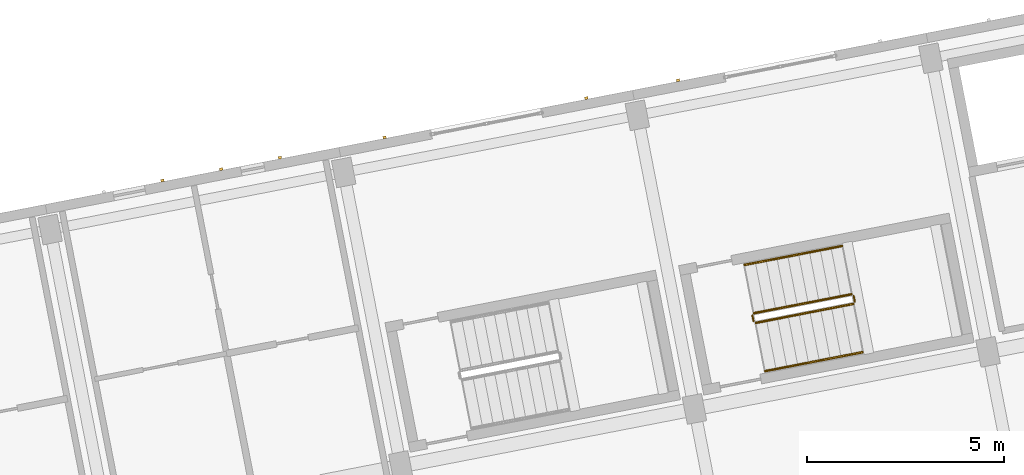
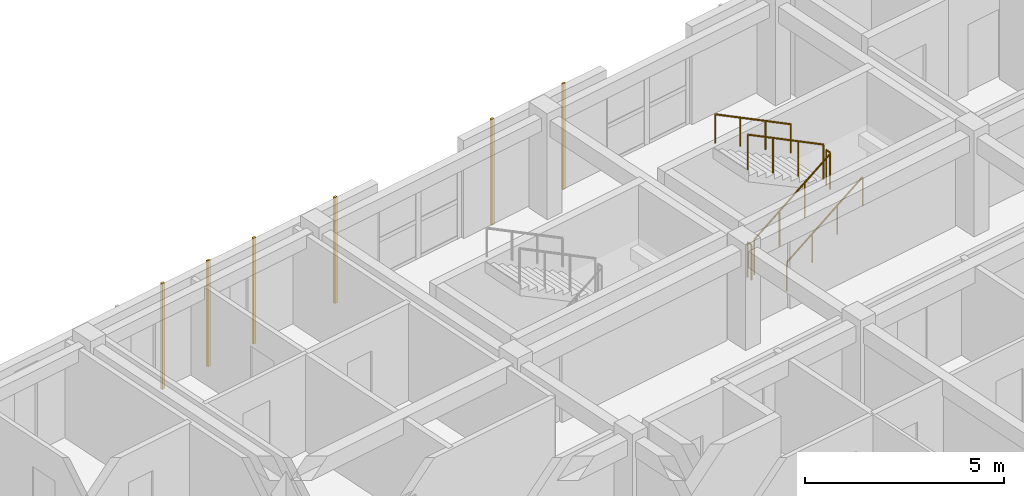
# One storey, part 61 of 66: 6 coverings, 6 railings.
"""IFC4 building model written with IfcOpenShell, lengths in metres."""

import ifcopenshell
import ifcopenshell.guid

model = None  # the IFC model being written
_history = None  # IfcOwnerHistory: only IFC2X3 demands one
_inside = {}  # id of a spatial element -> (the spatial element, [elements in it])
_under = {}  # id of a project, library or spatial element -> (it, [spatial elements below it])
_declared = {}  # id of a project -> (the project, [libraries it declares])
_typed = {}  # id of a type object -> (the type object, [elements of that type])
_made_of = {}  # id of a material, layer set ... -> (it, [elements and type objects made of it])


def new_model(schema):
    """Start an empty IFC model of exactly this schema.

    Asked for "IFC4X3", IfcOpenShell would pick the latest addendum, in which some entities
    have other attributes; the version numbers below select the first issue.
    IFC2X3 requires an IfcOwnerHistory on every rooted entity: one is made here for all.
    """
    global model, _history
    if schema == "IFC4X3":
        model = ifcopenshell.file(schema_version=(4, 3, 0, 0))
    else:
        model = ifcopenshell.file(schema=schema)
    _inside.clear()
    _under.clear()
    _declared.clear()
    _typed.clear()
    _made_of.clear()
    _history = None
    if model.schema == "IFC2X3":
        org = make("IfcOrganization", Name="unknown")
        user = make(
            "IfcPersonAndOrganization",
            ThePerson=make("IfcPerson", FamilyName="unknown"),
            TheOrganization=org,
        )
        app = make(
            "IfcApplication",
            ApplicationDeveloper=org,
            Version="unknown",
            ApplicationFullName="unknown",
            ApplicationIdentifier="unknown",
        )
        _history = make(
            "IfcOwnerHistory",
            OwningUser=user,
            OwningApplication=app,
            ChangeAction="ADDED",
            CreationDate=0,
        )
    return model


def make(cls, **values):
    """One entity of the class cls with the attributes given. An attribute that is None is left unset."""
    return model.create_entity(
        cls, **{name: value for name, value in values.items() if value is not None}
    )


def rooted(cls, **values):
    """An entity with a GlobalId (a new one), such as an element, a storey or a relation."""
    return make(cls, GlobalId=ifcopenshell.guid.new(), OwnerHistory=_history, **values)


def si_unit(unit_type, name, prefix=None):
    """IfcSIUnit, for example si_unit("LENGTHUNIT", "METRE", prefix="MILLI")."""
    return make("IfcSIUnit", UnitType=unit_type, Prefix=prefix, Name=name)


def assignment(units):
    """IfcUnitAssignment: the units of a project."""
    return None if units is None else make("IfcUnitAssignment", Units=units)


def point(xyz):
    """IfcCartesianPoint."""
    return None if xyz is None else make("IfcCartesianPoint", Coordinates=xyz)


def direction(xyz):
    """IfcDirection."""
    return None if xyz is None else make("IfcDirection", DirectionRatios=xyz)


def frame(location, z_axis=None, x_axis=None):
    """IfcAxis2Placement3D, a coordinate frame: its origin and axes. An axis left out is left unset."""
    return make(
        "IfcAxis2Placement3D",
        Location=point(location),
        Axis=direction(z_axis),
        RefDirection=direction(x_axis),
    )


def frame_2d(location, x_axis=None):
    """IfcAxis2Placement2D, a coordinate frame in the plane: its origin and x axis."""
    return make(
        "IfcAxis2Placement2D", Location=point(location), RefDirection=direction(x_axis)
    )


def origin():
    """The frame at (0, 0, 0) with its axes left unset."""
    return frame((0.0, 0.0, 0.0))


def origin_2d():
    """The frame at (0, 0) in the plane with its x axis left unset."""
    return frame_2d((0.0, 0.0))


def place(relative_to, where):
    """IfcLocalPlacement: puts the frame where relative to a parent placement (None: the world)."""
    return make(
        "IfcLocalPlacement", PlacementRelTo=relative_to, RelativePlacement=where
    )


def context(
    kind, dimensions, precision=None, world=None, true_north=None, identifier=None
):
    """IfcGeometricRepresentationContext, for example the 3D "Model" context."""
    return make(
        "IfcGeometricRepresentationContext",
        ContextIdentifier=identifier,
        ContextType=kind,
        CoordinateSpaceDimension=dimensions,
        Precision=precision,
        WorldCoordinateSystem=world,
        TrueNorth=true_north,
    )


def subcontext(parent, identifier, kind, view, scale=None):
    """IfcGeometricRepresentationSubContext, for example "Body" below "Model"."""
    return make(
        "IfcGeometricRepresentationSubContext",
        ContextIdentifier=identifier,
        ContextType=kind,
        ParentContext=parent,
        TargetScale=scale,
        TargetView=view,
    )


def project(units=None, contexts=None):
    """IfcProject with its units and contexts."""
    return rooted(
        "IfcProject",
        Name="project",
        RepresentationContexts=contexts,
        UnitsInContext=assignment(units),
    )


def spatial(cls, under=None, at=None, **own):
    """A site, building, storey or space (cls), placed at a placement, below another one or the project."""
    s = rooted(cls, ObjectPlacement=at, **own)
    if under is not None:
        _under.setdefault(under.id(), (under, []))[1].append(s)
    return s


def profile(cls, at=None, kind="AREA", **sizes):
    """A parametric profile (cls). Its sizes go by their IFC names, for example OverallWidth=200.0."""
    return make(cls, ProfileType=kind, Position=at, **sizes)


def rectangle(**sizes):
    """IfcRectangleProfileDef."""
    return profile("IfcRectangleProfileDef", **sizes)


def circle(**sizes):
    """IfcCircleProfileDef."""
    return profile("IfcCircleProfileDef", **sizes)


def extrude(swept, where, along, depth):
    """IfcExtrudedAreaSolid: the profile swept, set in the frame where, extruded along a direction by depth."""
    return make(
        "IfcExtrudedAreaSolid",
        SweptArea=swept,
        Position=where,
        ExtrudedDirection=direction(along),
        Depth=depth,
    )


def shape(context_of_items, identifier, shape_type, items):
    """IfcShapeRepresentation: the items that make up one representation, for example the "Body"."""
    return make(
        "IfcShapeRepresentation",
        ContextOfItems=context_of_items,
        RepresentationIdentifier=identifier,
        RepresentationType=shape_type,
        Items=items,
    )


def material(Name=None, Category=None):
    """IfcMaterial."""
    return make("IfcMaterial", Name=Name, Category=Category)


def layer(
    of_material, thickness, ventilated=None, Name=None, Category=None, Priority=None
):
    """IfcMaterialLayer: one layer of a wall or slab, of a material (None: an air gap)."""
    return make(
        "IfcMaterialLayer",
        Material=of_material,
        LayerThickness=thickness,
        IsVentilated=ventilated,
        Name=Name,
        Category=Category,
        Priority=Priority,
    )


def layer_set(layers, Name=None):
    """IfcMaterialLayerSet."""
    return make("IfcMaterialLayerSet", MaterialLayers=layers, LayerSetName=Name)


def made_of(thing, what):
    """Note that an element or type object is made of a material, layer set ...; save() writes the relation."""
    if what is not None:
        _made_of.setdefault(what.id(), (what, []))[1].append(thing)
    return thing


def type_object(cls, material=None, **own):
    """A type object (cls), such as IfcWallType, which elements share."""
    return made_of(rooted(cls, **own), material)


def element(
    cls,
    number,
    at=None,
    inside=None,
    cuts=None,
    type_object=None,
    material=None,
    context=None,
    identifier="Body",
    shape_type=None,
    held_by="IfcProductDefinitionShape",
    body=None,
    shapes=None,
    **own,
):
    """One element of the class cls, such as IfcWall. Its Tag is "e" and its number.

    at: its placement. inside: the storey or other place that contains it. cuts: it is an
    opening in that element (IfcRelVoidsElement). A single representation is given by context,
    identifier, shape_type and body (its items); several are given by shapes. held_by: the class
    of the entity that holds the representations. save() writes the other relations.
    """
    e = rooted(cls, Tag="e%d" % number, ObjectPlacement=at, **own)
    if body is not None:
        shapes = [shape(context, identifier, shape_type, body)]
    if shapes is not None:
        e.Representation = make(held_by, Representations=shapes)
    if inside is not None:
        _inside.setdefault(inside.id(), (inside, []))[1].append(e)
    if cuts is not None:
        rooted(
            "IfcRelVoidsElement", RelatingBuildingElement=cuts, RelatedOpeningElement=e
        )
    if type_object is not None:
        _typed.setdefault(type_object.id(), (type_object, []))[1].append(e)
    return made_of(e, material)


def aggregate(whole, parts):
    """IfcRelAggregates: a whole, such as a stair, and the parts it consists of."""
    return rooted("IfcRelAggregates", RelatingObject=whole, RelatedObjects=parts)


def save(model, path):
    """Write the relations noted so far, then the file.

    IfcRelAggregates (storeys below a building ...), IfcRelContainedInSpatialStructure (elements
    in a storey), IfcRelDefinesByType, IfcRelAssociatesMaterial and IfcRelDeclares: one each for
    every whole, place, type object, material and project.
    """
    for whole, parts in _under.values():
        aggregate(whole, parts)
    for where, things in _inside.values():
        rooted(
            "IfcRelContainedInSpatialStructure",
            RelatedElements=things,
            RelatingStructure=where,
        )
    for kind, things in _typed.values():
        rooted("IfcRelDefinesByType", RelatedObjects=things, RelatingType=kind)
    for what, things in _made_of.values():
        rooted("IfcRelAssociatesMaterial", RelatedObjects=things, RelatingMaterial=what)
    for by, libraries in _declared.values():
        rooted("IfcRelDeclares", RelatingContext=by, RelatedDefinitions=libraries)
    model.write(path)


model = new_model("IFC4")

# Units and contexts
model_context = context("Model", 3, precision=1e-05, world=origin(), true_north=direction((0.0, 1.0)))
body_context = subcontext(model_context, "Body", "Model", "MODEL_VIEW")
ifc_project = project(units=[si_unit("LENGTHUNIT", "METRE"), si_unit("AREAUNIT", "SQUARE_METRE"), si_unit("VOLUMEUNIT", "CUBIC_METRE"), si_unit("PLANEANGLEUNIT", "RADIAN"), si_unit("MASSUNIT", "GRAM", prefix="KILO")], contexts=[model_context])

# Site, building, storey
site_placement = place(None, origin())
site = spatial("IfcSite", under=ifc_project, at=site_placement, CompositionType="ELEMENT")
building_placement = place(site_placement, origin())
building = spatial("IfcBuilding", under=site, at=building_placement, Name="Kestramere Prow Commons", CompositionType="ELEMENT")
storey_placement = place(building_placement, frame((0.0, 0.0, 14.89990234375)))
storey = spatial("IfcBuildingStorey", under=building, at=storey_placement, Name="L04", CompositionType="ELEMENT", Elevation=14.89990234375)

# Coverings
ifc_material_1 = material(Name="Weathered Zinc-Titanium Standing-Seam Cladding")
ifc_layer = layer(ifc_material_1, 0.074951171875)
ifc_layer_set = layer_set([ifc_layer], Name="Weathered Zinc-Titanium Standing-Seam Cladding")
covering_type = type_object("IfcCoveringType", Name="COV-CLAD-SEAM", PredefinedType="CLADDING", material=ifc_layer_set)
for number, where, z_axis, x_axis, name in (
    (1, (132.435791015625, 57.38525390625, -0.25), (0.0, 0.0, 1.0), (0.981627183448, 0.190808995377, 0.0), "EW-D-L04-N-2 Standing-Seam Rib 2"),
    (2, (133.927734375, 57.67529296875, -0.25), (0.0, 0.0, 1.0), (0.981627183448, 0.190808995377, 0.0), "EW-D-L04-N-2 Standing-Seam Rib 3"),
    (3, (135.419921875, 57.96533203125, -0.25), (0.0, 0.0, 1.0), (0.981627183448, 0.190808995377, 0.0), "EW-D-L04-N-2 Standing-Seam Rib 4"),
    (4, (138.07763671875, 58.48193359375, -0.25), (0.0, 0.0, 1.0), (0.981627183448, 0.190808995377, 0.0), "EW-D-L04-NP-3-L Standing-Seam Rib 1"),
    (5, (143.20654296875, 59.47900390625, -0.25), (0.0, 0.0, 1.0), (0.981627183448, 0.190808995377, 0.0), "EW-D-L04-NP-3-R Standing-Seam Rib 1"),
    (6, (145.5380859375, 59.93212890625, -0.25), (0.0, 0.0, 1.0), (0.981627183448, 0.190808995377, 0.0), "EW-D-L04-NP-4-L Standing-Seam Rib 1"),
):
    element("IfcCovering", number, at=place(storey_placement, frame(where, z_axis=z_axis, x_axis=x_axis)), inside=storey, type_object=covering_type, Name=name, PredefinedType="CLADDING", context=body_context, shape_type="SweptSolid", body=[
        extrude(rectangle(XDim=0.0849609375, YDim=0.06494140625, at=origin_2d()), origin(), (0.0, 0.0, 1.0), 3.25),
    ])

# Railings
ifc_material_2 = material(Name="Galvanised Steel S275JR", Category="steel")
railing_type_1 = type_object("IfcRailingType", Name="RL-ST-GR-1100", PredefinedType="GUARDRAIL", material=ifc_material_2)
railing_1_placement = place(storey_placement, frame((147.512939453125, 53.768310546875, 0.16259765625)))
element("IfcRailing", 7, at=railing_1_placement, inside=storey, type_object=railing_type_1, Name="L04 ST-D2 stair guard 1", PredefinedType="GUARDRAIL", context=body_context, shape_type="SweptSolid", body=[
    extrude(circle(Radius=0.02392578125, at=origin_2d()), frame((0.0, 0.0, 1.076171875), z_axis=(0.849020348783, 0.164994183454, 0.501937612437), x_axis=(-0.190765930203, 0.981635553489, 0.0)), (0.0, 0.0, 1.0), 2.91357421875),
    extrude(circle(Radius=0.02099609375, at=origin_2d()), origin(), (0.0, 0.0, 1.0), 1.052001953125),
    extrude(circle(Radius=0.02099609375, at=origin_2d()), frame((0.824462890625, 0.16015625, 0.487548828125)), (0.0, 0.0, 1.0), 1.052001953125),
    extrude(circle(Radius=0.02099609375, at=origin_2d()), frame((1.649169921875, 0.320556640625, 0.974853515625)), (0.0, 0.0, 1.0), 1.052001953125),
    extrude(circle(Radius=0.02099609375, at=origin_2d()), frame((2.4736328125, 0.480712890625, 1.46240234375)), (0.0, 0.0, 1.0), 1.052001953125),
])
railing_2_placement = place(storey_placement, frame((150.026123046875, 54.3076171875, 1.625)))
element("IfcRailing", 8, at=railing_2_placement, inside=storey, type_object=railing_type_1, Name="L04 ST-D2 stair guard 2", PredefinedType="GUARDRAIL", context=body_context, shape_type="SweptSolid", body=[
    extrude(circle(Radius=0.02392578125, at=origin_2d()), frame((0.0, 0.0, 1.076171875), z_axis=(-0.190477468355, 0.981691567677, 0.0), x_axis=(-0.981691567677, -0.190477468355, 0.0)), (0.0, 0.0, 1.0), 0.14990234375),
    extrude(circle(Radius=0.02099609375, at=origin_2d()), origin(), (0.0, 0.0, 1.0), 1.052001953125),
    extrude(circle(Radius=0.02099609375, at=origin_2d()), frame((-0.028564453125, 0.147216796875, 0.0)), (0.0, 0.0, 1.0), 1.052001953125),
])
railing_3_placement = place(storey_placement, frame((149.93896484375, 54.494384765625, 1.78759765625)))
element("IfcRailing", 9, at=railing_3_placement, inside=storey, type_object=railing_type_1, Name="L04 ST-D2 stair guard 3", PredefinedType="GUARDRAIL", context=body_context, shape_type="SweptSolid", body=[
    extrude(circle(Radius=0.02392578125, at=origin_2d()), frame((0.0, 0.0, 1.076171875), z_axis=(-0.849020348783, -0.164994183454, 0.501937612437), x_axis=(0.190765930203, -0.981635553489, 0.0)), (0.0, 0.0, 1.0), 2.91357421875),
    extrude(circle(Radius=0.02099609375, at=origin_2d()), origin(), (0.0, 0.0, 1.0), 1.052001953125),
    extrude(circle(Radius=0.02099609375, at=origin_2d()), frame((-0.824462890625, -0.16015625, 0.487548828125)), (0.0, 0.0, 1.0), 1.052001953125),
    extrude(circle(Radius=0.02099609375, at=origin_2d()), frame((-1.649169921875, -0.320556640625, 0.974853515625)), (0.0, 0.0, 1.0), 1.052001953125),
    extrude(circle(Radius=0.02099609375, at=origin_2d()), frame((-2.4736328125, -0.480712890625, 1.46240234375)), (0.0, 0.0, 1.0), 1.052001953125),
])
railing_4_placement = place(storey_placement, frame((147.454345703125, 53.807861328125, 0.0)))
element("IfcRailing", 10, at=railing_4_placement, inside=storey, type_object=railing_type_1, Name="L04 ST-D2 stair guard 4", PredefinedType="GUARDRAIL", context=body_context, shape_type="SweptSolid", body=[
    extrude(circle(Radius=0.02392578125, at=origin_2d()), frame((0.0, 0.0, 1.076171875), z_axis=(-0.190477468355, 0.981691567677, 0.0), x_axis=(-0.981691567677, -0.190477468355, 0.0)), (0.0, 0.0, 1.0), 0.14990234375),
    extrude(circle(Radius=0.02099609375, at=origin_2d()), origin(), (0.0, 0.0, 1.0), 1.052001953125),
    extrude(circle(Radius=0.02099609375, at=origin_2d()), frame((-0.028564453125, 0.147216796875, 0.0)), (0.0, 0.0, 1.0), 1.052001953125),
])
ifc_material_3 = material(Name="Stainless Steel 304", Category="steel")
railing_type_2 = type_object("IfcRailingType", Name="RL-ST-HR-900", PredefinedType="HANDRAIL", material=ifc_material_3)
railing_5_placement = place(storey_placement, frame((147.75146484375, 52.541259765625, 0.3251953125)))
element("IfcRailing", 11, at=railing_5_placement, inside=storey, type_object=railing_type_2, Name="L04 ST-D2 stair handrail 1", PredefinedType="HANDRAIL", context=body_context, shape_type="SweptSolid", body=[
    extrude(circle(Radius=0.02392578125, at=origin_2d()), frame((0.0, 0.0, 0.8759765625), z_axis=(0.849020348783, 0.164994183454, 0.501937612437), x_axis=(-0.190765930203, 0.981635553489, 0.0)), (0.0, 0.0, 1.0), 2.91357421875),
    extrude(circle(Radius=0.02099609375, at=origin_2d()), origin(), (0.0, 0.0, 1.0), 0.851806640625),
    extrude(circle(Radius=0.02099609375, at=origin_2d()), frame((0.824462890625, 0.16015625, 0.487548828125)), (0.0, 0.0, 1.0), 0.851806640625),
    extrude(circle(Radius=0.02099609375, at=origin_2d()), frame((1.649169921875, 0.320556640625, 0.974853515625)), (0.0, 0.0, 1.0), 0.851806640625),
    extrude(circle(Radius=0.02099609375, at=origin_2d()), frame((2.4736328125, 0.480712890625, 1.46240234375)), (0.0, 0.0, 1.0), 0.851806640625),
])
railing_6_placement = place(storey_placement, frame((149.700439453125, 55.721435546875, 1.9501953125)))
element("IfcRailing", 12, at=railing_6_placement, inside=storey, type_object=railing_type_2, Name="L04 ST-D2 stair handrail 2", PredefinedType="HANDRAIL", context=body_context, shape_type="SweptSolid", body=[
    extrude(circle(Radius=0.02392578125, at=origin_2d()), frame((0.0, 0.0, 0.8759765625), z_axis=(-0.849020348783, -0.164994183454, 0.501937612437), x_axis=(0.190765930203, -0.981635553489, 0.0)), (0.0, 0.0, 1.0), 2.91357421875),
    extrude(circle(Radius=0.02099609375, at=origin_2d()), origin(), (0.0, 0.0, 1.0), 0.851806640625),
    extrude(circle(Radius=0.02099609375, at=origin_2d()), frame((-0.824462890625, -0.16015625, 0.487548828125)), (0.0, 0.0, 1.0), 0.851806640625),
    extrude(circle(Radius=0.02099609375, at=origin_2d()), frame((-1.649169921875, -0.320556640625, 0.974853515625)), (0.0, 0.0, 1.0), 0.851806640625),
    extrude(circle(Radius=0.02099609375, at=origin_2d()), frame((-2.4736328125, -0.480712890625, 1.46240234375)), (0.0, 0.0, 1.0), 0.851806640625),
])

save(model, "model.ifc")
